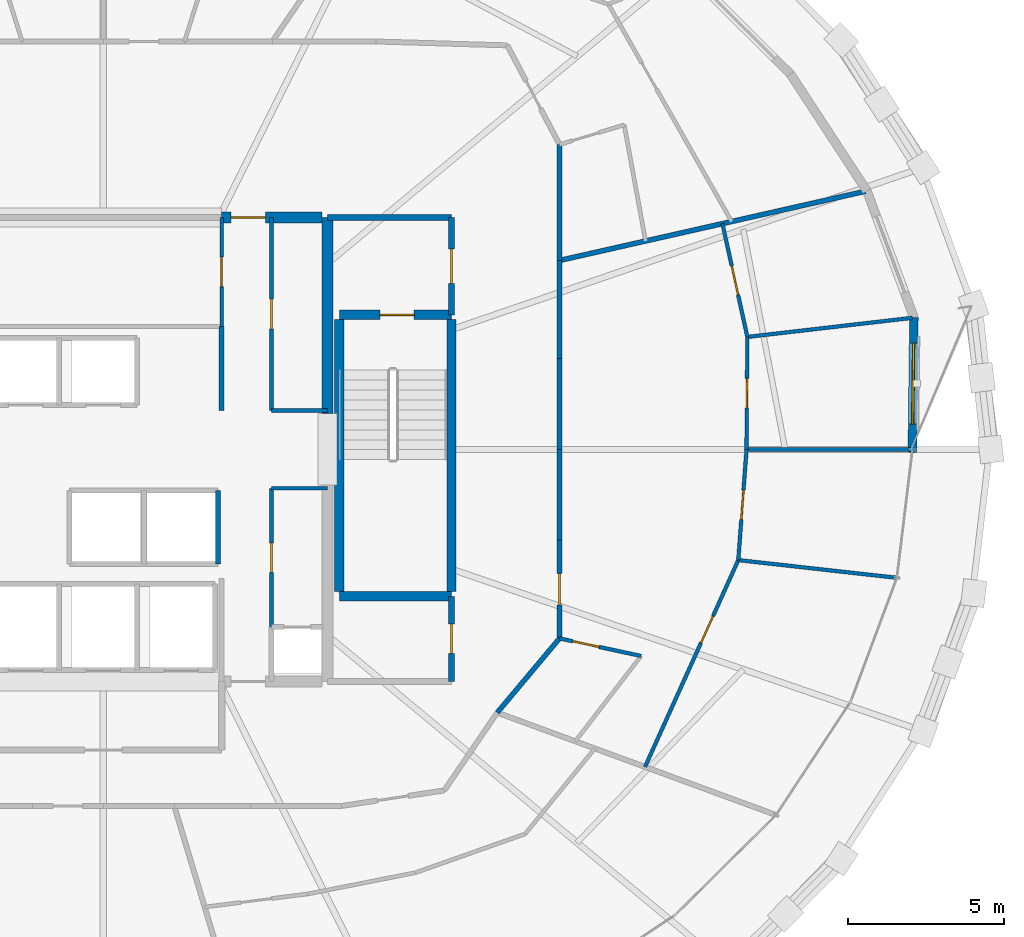
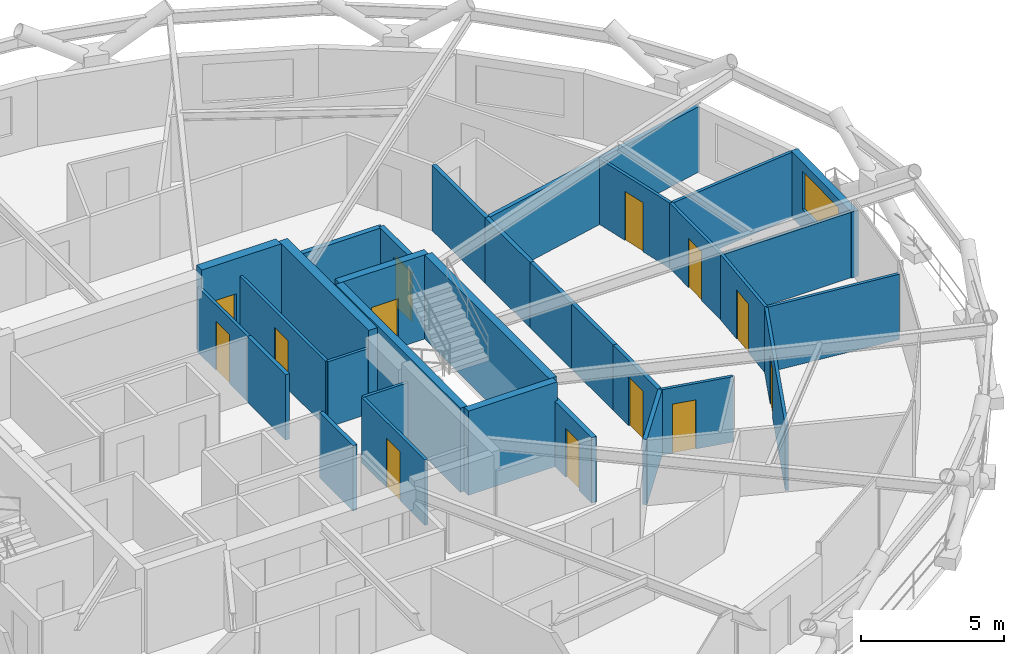
# One storey, part 16 of 21: 32 walls, 13 doors, 1 window, 14 openings.
"""IFC4 building model written with IfcOpenShell, lengths in metres."""

import ifcopenshell
import ifcopenshell.guid

model = None  # the IFC model being written
_history = None  # IfcOwnerHistory: only IFC2X3 demands one
_inside = {}  # id of a spatial element -> (the spatial element, [elements in it])
_under = {}  # id of a project, library or spatial element -> (it, [spatial elements below it])
_declared = {}  # id of a project -> (the project, [libraries it declares])
_typed = {}  # id of a type object -> (the type object, [elements of that type])
_made_of = {}  # id of a material, layer set ... -> (it, [elements and type objects made of it])


def new_model(schema):
    """Start an empty IFC model of exactly this schema.

    Asked for "IFC4X3", IfcOpenShell would pick the latest addendum, in which some entities
    have other attributes; the version numbers below select the first issue.
    IFC2X3 requires an IfcOwnerHistory on every rooted entity: one is made here for all.
    """
    global model, _history
    if schema == "IFC4X3":
        model = ifcopenshell.file(schema_version=(4, 3, 0, 0))
    else:
        model = ifcopenshell.file(schema=schema)
    _inside.clear()
    _under.clear()
    _declared.clear()
    _typed.clear()
    _made_of.clear()
    _history = None
    if model.schema == "IFC2X3":
        org = make("IfcOrganization", Name="unknown")
        user = make(
            "IfcPersonAndOrganization",
            ThePerson=make("IfcPerson", FamilyName="unknown"),
            TheOrganization=org,
        )
        app = make(
            "IfcApplication",
            ApplicationDeveloper=org,
            Version="unknown",
            ApplicationFullName="unknown",
            ApplicationIdentifier="unknown",
        )
        _history = make(
            "IfcOwnerHistory",
            OwningUser=user,
            OwningApplication=app,
            ChangeAction="ADDED",
            CreationDate=0,
        )
    return model


def make(cls, **values):
    """One entity of the class cls with the attributes given. An attribute that is None is left unset."""
    return model.create_entity(
        cls, **{name: value for name, value in values.items() if value is not None}
    )


def rooted(cls, **values):
    """An entity with a GlobalId (a new one), such as an element, a storey or a relation."""
    return make(cls, GlobalId=ifcopenshell.guid.new(), OwnerHistory=_history, **values)


def si_unit(unit_type, name, prefix=None):
    """IfcSIUnit, for example si_unit("LENGTHUNIT", "METRE", prefix="MILLI")."""
    return make("IfcSIUnit", UnitType=unit_type, Prefix=prefix, Name=name)


def assignment(units):
    """IfcUnitAssignment: the units of a project."""
    return None if units is None else make("IfcUnitAssignment", Units=units)


def point(xyz):
    """IfcCartesianPoint."""
    return None if xyz is None else make("IfcCartesianPoint", Coordinates=xyz)


def direction(xyz):
    """IfcDirection."""
    return None if xyz is None else make("IfcDirection", DirectionRatios=xyz)


def frame(location, z_axis=None, x_axis=None):
    """IfcAxis2Placement3D, a coordinate frame: its origin and axes. An axis left out is left unset."""
    return make(
        "IfcAxis2Placement3D",
        Location=point(location),
        Axis=direction(z_axis),
        RefDirection=direction(x_axis),
    )


def frame_2d(location, x_axis=None):
    """IfcAxis2Placement2D, a coordinate frame in the plane: its origin and x axis."""
    return make(
        "IfcAxis2Placement2D", Location=point(location), RefDirection=direction(x_axis)
    )


def origin():
    """The frame at (0, 0, 0) with its axes left unset."""
    return frame((0.0, 0.0, 0.0))


def place(relative_to, where):
    """IfcLocalPlacement: puts the frame where relative to a parent placement (None: the world)."""
    return make(
        "IfcLocalPlacement", PlacementRelTo=relative_to, RelativePlacement=where
    )


def context(
    kind, dimensions, precision=None, world=None, true_north=None, identifier=None
):
    """IfcGeometricRepresentationContext, for example the 3D "Model" context."""
    return make(
        "IfcGeometricRepresentationContext",
        ContextIdentifier=identifier,
        ContextType=kind,
        CoordinateSpaceDimension=dimensions,
        Precision=precision,
        WorldCoordinateSystem=world,
        TrueNorth=true_north,
    )


def subcontext(parent, identifier, kind, view, scale=None):
    """IfcGeometricRepresentationSubContext, for example "Body" below "Model"."""
    return make(
        "IfcGeometricRepresentationSubContext",
        ContextIdentifier=identifier,
        ContextType=kind,
        ParentContext=parent,
        TargetScale=scale,
        TargetView=view,
    )


def project(units=None, contexts=None):
    """IfcProject with its units and contexts."""
    return rooted(
        "IfcProject",
        Name="project",
        RepresentationContexts=contexts,
        UnitsInContext=assignment(units),
    )


def spatial(cls, under=None, at=None, **own):
    """A site, building, storey or space (cls), placed at a placement, below another one or the project."""
    s = rooted(cls, ObjectPlacement=at, **own)
    if under is not None:
        _under.setdefault(under.id(), (under, []))[1].append(s)
    return s


def profile(cls, at=None, kind="AREA", **sizes):
    """A parametric profile (cls). Its sizes go by their IFC names, for example OverallWidth=200.0."""
    return make(cls, ProfileType=kind, Position=at, **sizes)


def rectangle(**sizes):
    """IfcRectangleProfileDef."""
    return profile("IfcRectangleProfileDef", **sizes)


def extrude(swept, where, along, depth):
    """IfcExtrudedAreaSolid: the profile swept, set in the frame where, extruded along a direction by depth."""
    return make(
        "IfcExtrudedAreaSolid",
        SweptArea=swept,
        Position=where,
        ExtrudedDirection=direction(along),
        Depth=depth,
    )


def shape(context_of_items, identifier, shape_type, items):
    """IfcShapeRepresentation: the items that make up one representation, for example the "Body"."""
    return make(
        "IfcShapeRepresentation",
        ContextOfItems=context_of_items,
        RepresentationIdentifier=identifier,
        RepresentationType=shape_type,
        Items=items,
    )


def material(Name=None, Category=None):
    """IfcMaterial."""
    return make("IfcMaterial", Name=Name, Category=Category)


def layer(
    of_material, thickness, ventilated=None, Name=None, Category=None, Priority=None
):
    """IfcMaterialLayer: one layer of a wall or slab, of a material (None: an air gap)."""
    return make(
        "IfcMaterialLayer",
        Material=of_material,
        LayerThickness=thickness,
        IsVentilated=ventilated,
        Name=Name,
        Category=Category,
        Priority=Priority,
    )


def layer_set(layers, Name=None):
    """IfcMaterialLayerSet."""
    return make("IfcMaterialLayerSet", MaterialLayers=layers, LayerSetName=Name)


def made_of(thing, what):
    """Note that an element or type object is made of a material, layer set ...; save() writes the relation."""
    if what is not None:
        _made_of.setdefault(what.id(), (what, []))[1].append(thing)
    return thing


def type_object(cls, material=None, **own):
    """A type object (cls), such as IfcWallType, which elements share."""
    return made_of(rooted(cls, **own), material)


def element(
    cls,
    number,
    at=None,
    inside=None,
    cuts=None,
    type_object=None,
    material=None,
    context=None,
    identifier="Body",
    shape_type=None,
    held_by="IfcProductDefinitionShape",
    body=None,
    shapes=None,
    **own,
):
    """One element of the class cls, such as IfcWall. Its Tag is "e" and its number.

    at: its placement. inside: the storey or other place that contains it. cuts: it is an
    opening in that element (IfcRelVoidsElement). A single representation is given by context,
    identifier, shape_type and body (its items); several are given by shapes. held_by: the class
    of the entity that holds the representations. save() writes the other relations.
    """
    e = rooted(cls, Tag="e%d" % number, ObjectPlacement=at, **own)
    if body is not None:
        shapes = [shape(context, identifier, shape_type, body)]
    if shapes is not None:
        e.Representation = make(held_by, Representations=shapes)
    if inside is not None:
        _inside.setdefault(inside.id(), (inside, []))[1].append(e)
    if cuts is not None:
        rooted(
            "IfcRelVoidsElement", RelatingBuildingElement=cuts, RelatedOpeningElement=e
        )
    if type_object is not None:
        _typed.setdefault(type_object.id(), (type_object, []))[1].append(e)
    return made_of(e, material)


def fill(opening, filler):
    """IfcRelFillsElement: the door or window that sits in an opening."""
    return rooted(
        "IfcRelFillsElement",
        RelatingOpeningElement=opening,
        RelatedBuildingElement=filler,
    )


def aggregate(whole, parts):
    """IfcRelAggregates: a whole, such as a stair, and the parts it consists of."""
    return rooted("IfcRelAggregates", RelatingObject=whole, RelatedObjects=parts)


def save(model, path):
    """Write the relations noted so far, then the file.

    IfcRelAggregates (storeys below a building ...), IfcRelContainedInSpatialStructure (elements
    in a storey), IfcRelDefinesByType, IfcRelAssociatesMaterial and IfcRelDeclares: one each for
    every whole, place, type object, material and project.
    """
    for whole, parts in _under.values():
        aggregate(whole, parts)
    for where, things in _inside.values():
        rooted(
            "IfcRelContainedInSpatialStructure",
            RelatedElements=things,
            RelatingStructure=where,
        )
    for kind, things in _typed.values():
        rooted("IfcRelDefinesByType", RelatedObjects=things, RelatingType=kind)
    for what, things in _made_of.values():
        rooted("IfcRelAssociatesMaterial", RelatedObjects=things, RelatingMaterial=what)
    for by, libraries in _declared.values():
        rooted("IfcRelDeclares", RelatingContext=by, RelatedDefinitions=libraries)
    model.write(path)


model = new_model("IFC4")

# Units and contexts
model_context = context("Model", 3, precision=1e-05, world=origin(), true_north=direction((0.0, 1.0)))
body_context = subcontext(model_context, "Body", "Model", "MODEL_VIEW")
ifc_project = project(units=[si_unit("LENGTHUNIT", "METRE"), si_unit("AREAUNIT", "SQUARE_METRE"), si_unit("VOLUMEUNIT", "CUBIC_METRE"), si_unit("PLANEANGLEUNIT", "RADIAN"), si_unit("MASSUNIT", "GRAM", prefix="KILO")], contexts=[model_context])

# Site, building, storey
site_placement = place(None, origin())
site = spatial("IfcSite", under=ifc_project, at=site_placement, CompositionType="ELEMENT")
building_placement = place(site_placement, origin())
building = spatial("IfcBuilding", under=site, at=building_placement, Name="Veldorina Hangang Commons", CompositionType="ELEMENT")
storey_placement = place(building_placement, frame((0.0, 0.0, 135.199951171875)))
storey = spatial("IfcBuildingStorey", under=building, at=storey_placement, Name="L34", CompositionType="ELEMENT", Elevation=135.199951171875)

# Wall
ifc_material_1 = material(Name="Concrete C60/75", Category="concrete")
ifc_layer_1 = layer(ifc_material_1, 0.360107421875)
ifc_layer_set_1 = layer_set([ifc_layer_1], Name="Concrete C60/75")
wall_type_1 = type_object("IfcWallType", Name="CW-RC360-C60", PredefinedType="SHEAR", material=ifc_layer_set_1)
wall_1_placement = place(storey_placement, frame((39.199951171875, 25.14990234375, 0.0), z_axis=(0.0, 0.0, 1.0), x_axis=(0.0, 1.0, 0.0)))
element("IfcWall", 1, at=wall_1_placement, inside=storey, type_object=wall_type_1, Name="L34 E north core shear wall", PredefinedType="SHEAR", context=body_context, shape_type="SweptSolid", body=[
    extrude(rectangle(XDim=6.300048828125, YDim=0.360107421875, at=frame_2d((3.14990234375, 0.0))), origin(), (0.0, 0.0, 1.0), 3.60009765625),
])

# Wall, opening, door
wall_2_placement = place(storey_placement, frame((35.800048828125, 31.449951171875, 0.0), z_axis=(0.0, 0.0, 1.0), x_axis=(1.0, 0.0, 0.0)))
wall_2 = element("IfcWall", 2, at=wall_2_placement, inside=storey, type_object=wall_type_1, Name="L34 north-east core shear wall", PredefinedType="SHEAR", context=body_context, shape_type="SweptSolid", body=[
    extrude(rectangle(XDim=3.219970703125, YDim=0.360107421875, at=frame_2d((1.60986328125, 0.0))), origin(), (0.0, 0.0, 1.0), 3.60009765625),
])
opening_1_placement = place(wall_2_placement, frame((0.300048828125, 0.0, 0.0)))
opening_1 = element("IfcOpeningElement", 3, at=opening_1_placement, cuts=wall_2, Name="Opening D-08", PredefinedType="OPENING", context=body_context, shape_type="SweptSolid", body=[
    extrude(rectangle(XDim=1.10009765625, YDim=2.10009765625, at=frame_2d((0.550048828125, 1.050048828125))), frame((0.0, 0.18994140625, 0.0), z_axis=(0.0, -1.0, 0.0), x_axis=(1.0, 0.0, 0.0)), (0.0, 0.0, 1.0), 0.380126953125),
])
ifc_material_2 = material(Name="Steel Fire-Rated Smoke Seal", Category="steel")
door_type_1 = type_object("IfcDoorType", Name="DR-FIRE-1100", OperationType="SINGLE_SWING_RIGHT", PredefinedType="DOOR", material=ifc_material_2)
door_1_placement = place(opening_1_placement, origin())
door_1 = element("IfcDoor", 4, at=door_1_placement, inside=storey, type_object=door_type_1, Name="L34 central lift lobby north corridor door", OperationType="SINGLE_SWING_LEFT", OverallHeight=2.10009765625, OverallWidth=1.10009765625, PredefinedType="DOOR", context=body_context, shape_type="SweptSolid", body=[
    extrude(rectangle(XDim=1.10009765625, YDim=2.10009765625, at=frame_2d((0.550048828125, 1.050048828125))), frame((0.0, 0.02490234375, 0.0), z_axis=(0.0, -1.0, 0.0), x_axis=(1.0, 0.0, 0.0)), (0.0, 0.0, 1.0), 0.050048828125),
])
fill(opening_1, door_1)

# Wall, opening, window
ifc_material_3 = material(Name="Stone Roman Travertine", Category="masonry")
ifc_layer_2 = layer(ifc_material_3, 0.280029296875)
ifc_layer_set_2 = layer_set([ifc_layer_2], Name="Stone Roman Travertine")
wall_type_2 = type_object("IfcWallType", Name="EW-TRAV-280", PredefinedType="STANDARD", material=ifc_layer_set_2)
wall_3_placement = place(storey_placement, frame((57.980224609375, 23.907958984375, 0.0), z_axis=(0.0, 0.0, 1.0), x_axis=(0.011800420546, 0.999930372613, 0.0)))
wall_3 = element("IfcWall", 5, at=wall_3_placement, inside=storey, type_object=wall_type_2, Name="L34 travertine facade wall 00", PredefinedType="STANDARD", context=body_context, shape_type="SweptSolid", body=[
    extrude(rectangle(XDim=4.323974609375, YDim=0.280029296875, at=frame_2d((2.162109375, 0.0))), origin(), (0.0, 0.0, 1.0), 2.820068359375),
])
opening_2_placement = place(wall_3_placement, frame((0.907958984375, 0.0, 0.800048828125)))
opening_2 = element("IfcOpeningElement", 6, at=opening_2_placement, cuts=wall_3, Name="Opening W-02", PredefinedType="OPENING", context=body_context, shape_type="SweptSolid", body=[
    extrude(rectangle(XDim=2.60009765625, YDim=1.64990234375, at=frame_2d((1.300048828125, 0.824951171875))), frame((0.0, 0.14990234375, 0.0), z_axis=(0.0, -1.0, 0.0), x_axis=(1.0, 0.0, 0.0)), (0.0, 0.0, 1.0), 0.300048828125),
])
ifc_material_4 = material(Name="Glass Low-E Triple IGU", Category="glass")
window_type = type_object("IfcWindowType", Name="WIN-TWR-2600", PartitioningType="SINGLE_PANEL", PredefinedType="WINDOW", material=ifc_material_4)
window_placement = place(opening_2_placement, origin())
window = element("IfcWindow", 7, at=window_placement, inside=storey, type_object=window_type, Name="L34 facade window 00", OverallHeight=1.64990234375, OverallWidth=2.60009765625, PartitioningType="SINGLE_PANEL", PredefinedType="WINDOW", context=body_context, shape_type="SweptSolid", body=[
    extrude(rectangle(XDim=2.60009765625, YDim=1.64990234375, at=frame_2d((1.300048828125, 0.824951171875))), frame((0.0, 0.030029296875, 0.0), z_axis=(0.0, -1.0, 0.0), x_axis=(1.0, 0.0, 0.0)), (0.0, 0.0, 1.0), 0.06005859375),
])
fill(opening_2, window)

# Walls
ifc_material_5 = material(Name="Concrete C50/60", Category="concrete")
ifc_layer_3 = layer(ifc_material_5, 0.300048828125)
ifc_layer_set_3 = layer_set([ifc_layer_3], Name="Concrete C50/60")
wall_type_3 = type_object("IfcWallType", Name="SW-STAIR-300", PredefinedType="SHEAR", material=ifc_layer_set_3)
for number, where, z_axis, x_axis, name in (
    (8, (43.179931640625, 19.429931640625, 0.0), (0.0, 0.0, 1.0), (0.0, 1.0, 0.0), "L34 ST2 outer stair shear wall"),
    (9, (39.580078125, 19.429931640625, 0.0), (0.0, 0.0, 1.0), (0.0, 1.0, 0.0), "L34 ST2 inner stair shear wall"),
):
    element("IfcWall", number, at=place(storey_placement, frame(where, z_axis=z_axis, x_axis=x_axis)), inside=storey, type_object=wall_type_3, Name=name, PredefinedType="SHEAR", context=body_context, shape_type="SweptSolid", body=[
        extrude(rectangle(XDim=8.739990234375, YDim=0.300048828125, at=frame_2d((4.3701171875, 0.0))), origin(), (0.0, 0.0, 1.0), 3.60009765625),
    ])
wall_4_placement = place(storey_placement, frame((39.580078125, 19.280029296875, 0.0), z_axis=(0.0, 0.0, 1.0), x_axis=(1.0, 0.0, 0.0)))
element("IfcWall", 10, at=wall_4_placement, inside=storey, type_object=wall_type_3, Name="L34 ST2 south stair shear wall", PredefinedType="SHEAR", context=body_context, shape_type="SweptSolid", body=[
    extrude(rectangle(XDim=3.599853515625, YDim=0.300048828125, at=frame_2d((1.7998046875, 0.0))), origin(), (0.0, 0.0, 1.0), 3.60009765625),
])

# Wall, opening, door
wall_5_placement = place(storey_placement, frame((39.580078125, 28.320068359375, 0.0), z_axis=(0.0, 0.0, 1.0), x_axis=(1.0, 0.0, 0.0)))
wall_5 = element("IfcWall", 11, at=wall_5_placement, inside=storey, type_object=wall_type_3, Name="L34 ST2 north stair shear wall", PredefinedType="SHEAR", context=body_context, shape_type="SweptSolid", body=[
    extrude(rectangle(XDim=3.599853515625, YDim=0.300048828125, at=frame_2d((1.7998046875, 0.0))), origin(), (0.0, 0.0, 1.0), 3.60009765625),
])
opening_3_placement = place(wall_5_placement, frame((1.300048828125, 0.0, 0.0)))
opening_3 = element("IfcOpeningElement", 12, at=opening_3_placement, cuts=wall_5, Name="Opening D-08", PredefinedType="OPENING", context=body_context, shape_type="SweptSolid", body=[
    extrude(rectangle(XDim=1.10009765625, YDim=2.10009765625, at=frame_2d((0.550048828125, 1.050048828125))), frame((0.0, 0.16015625, 0.0), z_axis=(0.0, -1.0, 0.0), x_axis=(1.0, 0.0, 0.0)), (0.0, 0.0, 1.0), 0.320068359375),
])
door_2_placement = place(opening_3_placement, origin())
door_2 = element("IfcDoor", 13, at=door_2_placement, inside=storey, type_object=door_type_1, Name="L34 Special Escape Stair ST-2 door", OperationType="SINGLE_SWING_RIGHT", OverallHeight=2.10009765625, OverallWidth=1.10009765625, PredefinedType="DOOR", context=body_context, shape_type="SweptSolid", body=[
    extrude(rectangle(XDim=1.10009765625, YDim=2.10009765625, at=frame_2d((0.550048828125, 1.050048828125))), frame((0.0, 0.02490234375, 0.0), z_axis=(0.0, -1.0, 0.0), x_axis=(1.0, 0.0, 0.0)), (0.0, 0.0, 1.0), 0.050048828125),
])
fill(opening_3, door_2)

# Walls
ifc_material_6 = material(Name="Gypsum Fire-Rated Twin Stud Wall", Category="gypsum")
ifc_layer_4 = layer(ifc_material_6, 0.159912109375)
ifc_layer_set_4 = layer_set([ifc_layer_4], Name="Gypsum Fire-Rated Twin Stud Wall")
wall_type_4 = type_object("IfcWallType", Name="WL-FIRE-160", PredefinedType="SOLIDWALL", material=ifc_layer_set_4)
wall_6_placement = place(storey_placement, frame((35.800048828125, 25.25, 0.0), z_axis=(0.0, 0.0, 1.0), x_axis=(0.0, 1.0, 0.0)))
element("IfcWall", 14, at=wall_6_placement, inside=storey, type_object=wall_type_4, Name="L34 Lift passage NW lower wall 011", PredefinedType="SOLIDWALL", context=body_context, shape_type="SweptSolid", body=[
    extrude(rectangle(XDim=2.699951171875, YDim=0.159912109375, at=frame_2d((1.35009765625, 0.0))), origin(), (0.0, 0.0, 1.0), 2.800048828125),
])
wall_7_placement = place(storey_placement, frame((35.679931640625, 20.320068359375, 0.0), z_axis=(0.0, 0.0, 1.0), x_axis=(0.0, 1.0, 0.0)))
element("IfcWall", 15, at=wall_7_placement, inside=storey, type_object=wall_type_4, Name="L34 SL-2 east shaft wall 024", PredefinedType="SOLIDWALL", context=body_context, shape_type="SweptSolid", body=[
    extrude(rectangle(XDim=2.35986328125, YDim=0.159912109375, at=frame_2d((1.179931640625, 0.0))), origin(), (0.0, 0.0, 1.0), 2.800048828125),
])
wall_8_placement = place(storey_placement, frame((46.64990234375, 24.0, 0.0), z_axis=(0.0, 0.0, 1.0), x_axis=(0.0, 1.0, 0.0)))
element("IfcWall", 16, at=wall_8_placement, inside=storey, type_object=wall_type_4, Name="L34 U-corridor outer wall 00 044", PredefinedType="SOLIDWALL", context=body_context, shape_type="SweptSolid", body=[
    extrude(rectangle(XDim=2.9140625, YDim=0.159912109375, at=frame_2d((1.45703125, 0.0))), origin(), (0.0, 0.0, 1.0), 2.800048828125),
])
wall_9_placement = place(storey_placement, frame((46.64990234375, 26.9140625, 0.0), z_axis=(0.0, 0.0, 1.0), x_axis=(0.0, 1.0, 0.0)))
element("IfcWall", 17, at=wall_9_placement, inside=storey, type_object=wall_type_4, Name="L34 U-corridor outer wall 01 045", PredefinedType="SOLIDWALL", context=body_context, shape_type="SweptSolid", body=[
    extrude(rectangle(XDim=3.154052734375, YDim=0.159912109375, at=frame_2d((1.5771484375, 0.0))), origin(), (0.0, 0.0, 1.0), 2.800048828125),
])
wall_10_placement = place(storey_placement, frame((46.64990234375, 30.068115234375, 0.0), z_axis=(0.0, 0.0, 1.0), x_axis=(0.0, 1.0, 0.0)))
element("IfcWall", 18, at=wall_10_placement, inside=storey, type_object=wall_type_4, Name="L34 U-corridor outer wall 02 046", PredefinedType="SOLIDWALL", context=body_context, shape_type="SweptSolid", body=[
    extrude(rectangle(XDim=3.720703125, YDim=0.159912109375, at=frame_2d((1.8603515625, 0.0))), origin(), (0.0, 0.0, 1.0), 2.800048828125),
])
wall_11_placement = place(storey_placement, frame((44.64990234375, 15.547607421875, 0.0), z_axis=(0.0, 0.0, 1.0), x_axis=(0.642665742791, 0.76614668507, 0.0)))
element("IfcWall", 19, at=wall_11_placement, inside=storey, type_object=wall_type_4, Name="L34 U-corridor outer wall 29 073", PredefinedType="SOLIDWALL", context=body_context, shape_type="SweptSolid", body=[
    extrude(rectangle(XDim=3.112060546875, YDim=0.159912109375, at=frame_2d((1.55615234375, 0.0))), origin(), (0.0, 0.0, 1.0), 2.800048828125),
])

# Wall, opening, door
wall_12_placement = place(storey_placement, frame((46.64990234375, 17.931884765625, 0.0), z_axis=(0.0, 0.0, 1.0), x_axis=(0.0, 1.0, 0.0)))
wall_12 = element("IfcWall", 20, at=wall_12_placement, inside=storey, type_object=wall_type_4, Name="L34 U-corridor outer wall 30 074", PredefinedType="SOLIDWALL", context=body_context, shape_type="SweptSolid", body=[
    extrude(rectangle(XDim=3.154052734375, YDim=0.159912109375, at=frame_2d((1.5771484375, 0.0))), origin(), (0.0, 0.0, 1.0), 2.800048828125),
])
opening_4_placement = place(wall_12_placement, frame((1.0771484375, 0.0, 0.0)))
opening_4 = element("IfcOpeningElement", 21, at=opening_4_placement, cuts=wall_12, Name="Opening D-06", PredefinedType="OPENING", context=body_context, shape_type="SweptSolid", body=[
    extrude(rectangle(XDim=1.0, YDim=2.10009765625, at=frame_2d((0.5, 1.050048828125))), frame((0.0, 0.08984375, 0.0), z_axis=(0.0, -1.0, 0.0), x_axis=(1.0, 0.0, 0.0)), (0.0, 0.0, 1.0), 0.179931640625),
])
ifc_material_7 = material(Name="Timber Fire-Rated Entrance Core", Category="wood")
door_type_2 = type_object("IfcDoorType", Name="DR-UNIT-1000", OperationType="SINGLE_SWING_LEFT", PredefinedType="DOOR", material=ifc_material_7)
door_3_placement = place(opening_4_placement, origin())
door_3 = element("IfcDoor", 22, at=door_3_placement, inside=storey, type_object=door_type_2, Name="L34 Cluster 2 entrance door 021", OperationType="SINGLE_SWING_LEFT", OverallHeight=2.10009765625, OverallWidth=1.0, PredefinedType="DOOR", context=body_context, shape_type="SweptSolid", body=[
    extrude(rectangle(XDim=1.0, YDim=2.10009765625, at=frame_2d((0.5, 1.050048828125))), frame((0.0, 0.02490234375, 0.0), z_axis=(0.0, -1.0, 0.0), x_axis=(1.0, 0.0, 0.0)), (0.0, 0.0, 1.0), 0.050048828125),
])
fill(opening_4, door_3)

# Walls
wall_13_placement = place(storey_placement, frame((46.64990234375, 21.0859375, 0.0), z_axis=(0.0, 0.0, 1.0), x_axis=(0.0, 1.0, 0.0)))
element("IfcWall", 23, at=wall_13_placement, inside=storey, type_object=wall_type_4, Name="L34 U-corridor outer wall 31 075", PredefinedType="SOLIDWALL", context=body_context, shape_type="SweptSolid", body=[
    extrude(rectangle(XDim=2.9140625, YDim=0.159912109375, at=frame_2d((1.45703125, 0.0))), origin(), (0.0, 0.0, 1.0), 2.800048828125),
])
wall_14_placement = place(storey_placement, frame((46.64990234375, 30.068115234375, 0.0), z_axis=(0.0, 0.0, 1.0), x_axis=(0.975360958505, 0.220615050765, 0.0)))
element("IfcWall", 24, at=wall_14_placement, inside=storey, type_object=wall_type_4, Name="L34 Unit party wall 02 091", PredefinedType="SOLIDWALL", context=body_context, shape_type="SweptSolid", body=[
    extrude(rectangle(XDim=10.0703125, YDim=0.159912109375, at=frame_2d((5.03515625, 0.0))), origin(), (0.0, 0.0, 1.0), 2.800048828125),
])

# Wall, opening, door
ifc_material_8 = material(Name="Concrete Blockwork Fire Wall C30/37", Category="masonry")
ifc_layer_5 = layer(ifc_material_8, 0.199951171875)
ifc_layer_set_5 = layer_set([ifc_layer_5], Name="Concrete Blockwork Fire Wall C30/37")
wall_type_5 = type_object("IfcWallType", Name="WL-FIRE-200", PredefinedType="SOLIDWALL", material=ifc_layer_set_5)
wall_15_placement = place(storey_placement, frame((43.179931640625, 28.320068359375, 0.0), z_axis=(0.0, 0.0, 1.0), x_axis=(0.0, 1.0, 0.0)))
wall_15 = element("IfcWall", 25, at=wall_15_placement, inside=storey, type_object=wall_type_5, Name="L34 East vestibule outer wall 003", PredefinedType="SOLIDWALL", context=body_context, shape_type="SweptSolid", body=[
    extrude(rectangle(XDim=3.1298828125, YDim=0.199951171875, at=frame_2d((1.56494140625, 0.0))), origin(), (0.0, 0.0, 1.0), 2.800048828125),
])
opening_5_placement = place(wall_15_placement, frame((1.014892578125, 0.0, 0.0)))
opening_5 = element("IfcOpeningElement", 26, at=opening_5_placement, cuts=wall_15, Name="Opening D-08", PredefinedType="OPENING", context=body_context, shape_type="SweptSolid", body=[
    extrude(rectangle(XDim=1.10009765625, YDim=2.10009765625, at=frame_2d((0.550048828125, 1.050048828125))), frame((0.0, 0.10986328125, 0.0), z_axis=(0.0, -1.0, 0.0), x_axis=(1.0, 0.0, 0.0)), (0.0, 0.0, 1.0), 0.219970703125),
])
door_4_placement = place(opening_5_placement, origin())
door_4 = element("IfcDoor", 27, at=door_4_placement, inside=storey, type_object=door_type_1, Name="L34 East vestibule east door 002", OperationType="SINGLE_SWING_RIGHT", OverallHeight=2.10009765625, OverallWidth=1.10009765625, PredefinedType="DOOR", context=body_context, shape_type="SweptSolid", body=[
    extrude(rectangle(XDim=1.10009765625, YDim=2.10009765625, at=frame_2d((0.550048828125, 1.050048828125))), frame((0.0, 0.02490234375, 0.0), z_axis=(0.0, -1.0, 0.0), x_axis=(1.0, 0.0, 0.0)), (0.0, 0.0, 1.0), 0.050048828125),
])
fill(opening_5, door_4)

# Wall
wall_16_placement = place(storey_placement, frame((39.199951171875, 31.449951171875, 0.0), z_axis=(0.0, 0.0, 1.0), x_axis=(1.0, 0.0, 0.0)))
element("IfcWall", 28, at=wall_16_placement, inside=storey, type_object=wall_type_5, Name="L34 East vestibule north wall 004", PredefinedType="SOLIDWALL", context=body_context, shape_type="SweptSolid", body=[
    extrude(rectangle(XDim=3.97998046875, YDim=0.199951171875, at=frame_2d((1.989990234375, 0.0))), origin(), (0.0, 0.0, 1.0), 2.800048828125),
])

# Wall, opening, door
wall_17_placement = place(storey_placement, frame((43.179931640625, 16.550048828125, 0.0), z_axis=(0.0, 0.0, 1.0), x_axis=(0.0, 1.0, 0.0)))
wall_17 = element("IfcWall", 29, at=wall_17_placement, inside=storey, type_object=wall_type_5, Name="L34 SE core room outer wall 007", PredefinedType="SOLIDWALL", context=body_context, shape_type="SweptSolid", body=[
    extrude(rectangle(XDim=2.72998046875, YDim=0.199951171875, at=frame_2d((1.364990234375, 0.0))), origin(), (0.0, 0.0, 1.0), 2.800048828125),
])
opening_6_placement = place(wall_17_placement, frame((0.889892578125, 0.0, 0.0)))
opening_6 = element("IfcOpeningElement", 30, at=opening_6_placement, cuts=wall_17, Name="Opening D-02", PredefinedType="OPENING", context=body_context, shape_type="SweptSolid", body=[
    extrude(rectangle(XDim=0.949951171875, YDim=2.10009765625, at=frame_2d((0.47509765625, 1.050048828125))), frame((0.0, 0.10986328125, 0.0), z_axis=(0.0, -1.0, 0.0), x_axis=(1.0, 0.0, 0.0)), (0.0, 0.0, 1.0), 0.219970703125),
])
ifc_material_9 = material(Name="Timber Solid Core Acoustic", Category="wood")
door_type_3 = type_object("IfcDoorType", Name="DR-INT-950", OperationType="SINGLE_SWING_LEFT", PredefinedType="DOOR", material=ifc_material_9)
door_5_placement = place(opening_6_placement, origin())
door_5 = element("IfcDoor", 31, at=door_5_placement, inside=storey, type_object=door_type_3, Name="L34 SE core WC door 004", OperationType="SINGLE_SWING_RIGHT", OverallHeight=2.10009765625, OverallWidth=0.949951171875, PredefinedType="DOOR", context=body_context, shape_type="SweptSolid", body=[
    extrude(rectangle(XDim=0.949951171875, YDim=2.10009765625, at=frame_2d((0.47509765625, 1.050048828125))), frame((0.0, 0.02490234375, 0.0), z_axis=(0.0, -1.0, 0.0), x_axis=(1.0, 0.0, 0.0)), (0.0, 0.0, 1.0), 0.050048828125),
])
fill(opening_6, door_5)

ifc_material_10 = material(Name="Gypsum Acoustic Stud Partition", Category="gypsum")
ifc_layer_6 = layer(ifc_material_10, 0.1201171875)
ifc_layer_set_6 = layer_set([ifc_layer_6], Name="Gypsum Acoustic Stud Partition")
wall_type_6 = type_object("IfcWallType", Name="WL-PART-120", PredefinedType="PARTITIONING", material=ifc_layer_set_6)
wall_18_placement = place(storey_placement, frame((35.800048828125, 27.949951171875, 0.0), z_axis=(0.0, 0.0, 1.0), x_axis=(0.0, 1.0, 0.0)))
wall_18 = element("IfcWall", 32, at=wall_18_placement, inside=storey, type_object=wall_type_6, Name="L34 Merged north east wall 033", PredefinedType="PARTITIONING", context=body_context, shape_type="SweptSolid", body=[
    extrude(rectangle(XDim=3.5, YDim=0.1201171875, at=frame_2d((1.75, 0.0))), origin(), (0.0, 0.0, 1.0), 2.800048828125),
])
opening_7_placement = place(wall_18_placement, frame((1.27490234375, 0.0, 0.0)))
opening_7 = element("IfcOpeningElement", 33, at=opening_7_placement, cuts=wall_18, Name="Opening D-02", PredefinedType="OPENING", context=body_context, shape_type="SweptSolid", body=[
    extrude(rectangle(XDim=0.949951171875, YDim=2.10009765625, at=frame_2d((0.47509765625, 1.050048828125))), frame((0.0, 0.070068359375, 0.0), z_axis=(0.0, -1.0, 0.0), x_axis=(1.0, 0.0, 0.0)), (0.0, 0.0, 1.0), 0.14013671875),
])
door_6_placement = place(opening_7_placement, origin())
door_6 = element("IfcDoor", 34, at=door_6_placement, inside=storey, type_object=door_type_3, Name="L34 Merged north room lobby door 011", OperationType="SINGLE_SWING_LEFT", OverallHeight=2.10009765625, OverallWidth=0.949951171875, PredefinedType="DOOR", context=body_context, shape_type="SweptSolid", body=[
    extrude(rectangle(XDim=0.949951171875, YDim=2.10009765625, at=frame_2d((0.47509765625, 1.050048828125))), frame((0.0, 0.02490234375, 0.0), z_axis=(0.0, -1.0, 0.0), x_axis=(1.0, 0.0, 0.0)), (0.0, 0.0, 1.0), 0.050048828125),
])
fill(opening_7, door_6)

wall_19_placement = place(storey_placement, frame((37.39990234375, 25.25, 0.0), z_axis=(0.0, 0.0, 1.0), x_axis=(0.0, 1.0, 0.0)))
wall_19 = element("IfcWall", 35, at=wall_19_placement, inside=storey, type_object=wall_type_6, Name="L34 NE strip lobby wall 040", PredefinedType="PARTITIONING", context=body_context, shape_type="SweptSolid", body=[
    extrude(rectangle(XDim=6.199951171875, YDim=0.1201171875, at=frame_2d((3.10009765625, 0.0))), origin(), (0.0, 0.0, 1.0), 2.800048828125),
])
opening_8_placement = place(wall_19_placement, frame((2.625, 0.0, 0.0)))
opening_8 = element("IfcOpeningElement", 36, at=opening_8_placement, cuts=wall_19, Name="Opening D-02", PredefinedType="OPENING", context=body_context, shape_type="SweptSolid", body=[
    extrude(rectangle(XDim=0.949951171875, YDim=2.10009765625, at=frame_2d((0.47509765625, 1.050048828125))), frame((0.0, 0.070068359375, 0.0), z_axis=(0.0, -1.0, 0.0), x_axis=(1.0, 0.0, 0.0)), (0.0, 0.0, 1.0), 0.14013671875),
])
door_7_placement = place(opening_8_placement, origin())
door_7 = element("IfcDoor", 37, at=door_7_placement, inside=storey, type_object=door_type_3, Name="L34 Comms room door 016", OperationType="SINGLE_SWING_RIGHT", OverallHeight=2.10009765625, OverallWidth=0.949951171875, PredefinedType="DOOR", context=body_context, shape_type="SweptSolid", body=[
    extrude(rectangle(XDim=0.949951171875, YDim=2.10009765625, at=frame_2d((0.47509765625, 1.050048828125))), frame((0.0, 0.02490234375, 0.0), z_axis=(0.0, -1.0, 0.0), x_axis=(1.0, 0.0, 0.0)), (0.0, 0.0, 1.0), 0.050048828125),
])
fill(opening_8, door_7)

# Wall
wall_20_placement = place(storey_placement, frame((37.39990234375, 25.25, 0.0), z_axis=(0.0, 0.0, 1.0), x_axis=(1.0, 0.0, 0.0)))
element("IfcWall", 38, at=wall_20_placement, inside=storey, type_object=wall_type_6, Name="L34 NE strip south return wall 041", PredefinedType="PARTITIONING", context=body_context, shape_type="SweptSolid", body=[
    extrude(rectangle(XDim=1.800048828125, YDim=0.1201171875, at=frame_2d((0.89990234375, 0.0))), origin(), (0.0, 0.0, 1.0), 2.800048828125),
])

# Wall, opening, door
wall_21_placement = place(storey_placement, frame((37.39990234375, 18.300048828125, 0.0), z_axis=(0.0, 0.0, 1.0), x_axis=(0.0, 1.0, 0.0)))
wall_21 = element("IfcWall", 39, at=wall_21_placement, inside=storey, type_object=wall_type_6, Name="L34 SE strip lobby wall 042", PredefinedType="PARTITIONING", context=body_context, shape_type="SweptSolid", body=[
    extrude(rectangle(XDim=4.449951171875, YDim=0.1201171875, at=frame_2d((2.22509765625, 0.0))), origin(), (0.0, 0.0, 1.0), 2.800048828125),
])
opening_9_placement = place(wall_21_placement, frame((1.75, 0.0, 0.0)))
opening_9 = element("IfcOpeningElement", 40, at=opening_9_placement, cuts=wall_21, Name="Opening D-02", PredefinedType="OPENING", context=body_context, shape_type="SweptSolid", body=[
    extrude(rectangle(XDim=0.949951171875, YDim=2.10009765625, at=frame_2d((0.47509765625, 1.050048828125))), frame((0.0, 0.070068359375, 0.0), z_axis=(0.0, -1.0, 0.0), x_axis=(1.0, 0.0, 0.0)), (0.0, 0.0, 1.0), 0.14013671875),
])
door_8_placement = place(opening_9_placement, origin())
door_8 = element("IfcDoor", 41, at=door_8_placement, inside=storey, type_object=door_type_3, Name="L34 BMS closet door 017", OperationType="SINGLE_SWING_LEFT", OverallHeight=2.10009765625, OverallWidth=0.949951171875, PredefinedType="DOOR", context=body_context, shape_type="SweptSolid", body=[
    extrude(rectangle(XDim=0.949951171875, YDim=2.10009765625, at=frame_2d((0.47509765625, 1.050048828125))), frame((0.0, 0.02490234375, 0.0), z_axis=(0.0, -1.0, 0.0), x_axis=(1.0, 0.0, 0.0)), (0.0, 0.0, 1.0), 0.050048828125),
])
fill(opening_9, door_8)

# Wall
wall_22_placement = place(storey_placement, frame((37.39990234375, 22.75, 0.0), z_axis=(0.0, 0.0, 1.0), x_axis=(1.0, 0.0, 0.0)))
element("IfcWall", 42, at=wall_22_placement, inside=storey, type_object=wall_type_6, Name="L34 SE strip north return wall 043", PredefinedType="PARTITIONING", context=body_context, shape_type="SweptSolid", body=[
    extrude(rectangle(XDim=1.800048828125, YDim=0.1201171875, at=frame_2d((0.89990234375, 0.0))), origin(), (0.0, 0.0, 1.0), 2.800048828125),
])

# Wall, opening, door
wall_23_placement = place(storey_placement, frame((46.64990234375, 17.931884765625, 0.0), z_axis=(0.0, 0.0, 1.0), x_axis=(0.97750005093, -0.21093518064, 0.0)))
wall_23 = element("IfcWall", 43, at=wall_23_placement, inside=storey, type_object=wall_type_6, Name="L34 Cluster 2 bath side wall 083", PredefinedType="PARTITIONING", context=body_context, shape_type="SweptSolid", body=[
    extrude(rectangle(XDim=2.679443359375, YDim=0.1201171875, at=frame_2d((1.33984375, 0.0))), origin(), (0.0, 0.0, 1.0), 2.800048828125),
])
opening_10_placement = place(wall_23_placement, frame((0.43994140625, 0.0, 0.0)))
opening_10 = element("IfcOpeningElement", 44, at=opening_10_placement, cuts=wall_23, Name="Opening D-01", PredefinedType="OPENING", context=body_context, shape_type="SweptSolid", body=[
    extrude(rectangle(XDim=0.860107421875, YDim=2.10009765625, at=frame_2d((0.43017578125, 1.050048828125))), frame((0.0, 0.070068359375, 0.0), z_axis=(0.0, -1.0, 0.0), x_axis=(1.0, 0.0, 0.0)), (0.0, 0.0, 1.0), 0.14013671875),
])
ifc_material_11 = material(Name="Timber Moisture-Resistant Core", Category="wood")
door_type_4 = type_object("IfcDoorType", Name="DR-WET-860", OperationType="SINGLE_SWING_LEFT", PredefinedType="DOOR", material=ifc_material_11)
door_9_placement = place(opening_10_placement, origin())
door_9 = element("IfcDoor", 45, at=door_9_placement, inside=storey, type_object=door_type_4, Name="L34 Cluster 2 shared bathroom door 020", OperationType="SINGLE_SWING_RIGHT", OverallHeight=2.10009765625, OverallWidth=0.860107421875, PredefinedType="DOOR", context=body_context, shape_type="SweptSolid", body=[
    extrude(rectangle(XDim=0.860107421875, YDim=2.10009765625, at=frame_2d((0.43017578125, 1.050048828125))), frame((0.0, 0.02490234375, 0.0), z_axis=(0.0, -1.0, 0.0), x_axis=(1.0, 0.0, 0.0)), (0.0, 0.0, 1.0), 0.050048828125),
])
fill(opening_10, door_9)

wall_24_placement = place(storey_placement, frame((49.39501953125, 13.805419921875, 0.0), z_axis=(0.0, 0.0, 1.0), x_axis=(0.411281396403, 0.911508427264, 0.0)))
wall_24 = element("IfcWall", 46, at=wall_24_placement, inside=storey, type_object=wall_type_6, Name="L34 Cluster 2 bed 1 front wall 084", PredefinedType="PARTITIONING", context=body_context, shape_type="SweptSolid", body=[
    extrude(rectangle(XDim=7.28466796875, YDim=0.1201171875, at=frame_2d((3.642333984375, 0.0))), origin(), (0.0, 0.0, 1.0), 2.800048828125),
])
opening_11_placement = place(wall_24_placement, frame((4.367431640625, 0.0, 0.0)))
opening_11 = element("IfcOpeningElement", 47, at=opening_11_placement, cuts=wall_24, Name="Opening D-02", PredefinedType="OPENING", context=body_context, shape_type="SweptSolid", body=[
    extrude(rectangle(XDim=0.949951171875, YDim=2.10009765625, at=frame_2d((0.47509765625, 1.050048828125))), frame((0.0, 0.070068359375, 0.0), z_axis=(0.0, -1.0, 0.0), x_axis=(1.0, 0.0, 0.0)), (0.0, 0.0, 1.0), 0.14013671875),
])
door_10_placement = place(opening_11_placement, origin())
door_10 = element("IfcDoor", 48, at=door_10_placement, inside=storey, type_object=door_type_3, Name="L34 Cluster 2 bed 1 door 022", OperationType="SINGLE_SWING_RIGHT", OverallHeight=2.10009765625, OverallWidth=0.949951171875, PredefinedType="DOOR", context=body_context, shape_type="SweptSolid", body=[
    extrude(rectangle(XDim=0.949951171875, YDim=2.10009765625, at=frame_2d((0.47509765625, 1.050048828125))), frame((0.0, 0.02490234375, 0.0), z_axis=(0.0, -1.0, 0.0), x_axis=(1.0, 0.0, 0.0)), (0.0, 0.0, 1.0), 0.050048828125),
])
fill(opening_11, door_10)

wall_25_placement = place(storey_placement, frame((52.39111328125, 20.445556640625, 0.0), z_axis=(0.0, 0.0, 1.0), x_axis=(0.074182020041, 0.997244718162, 0.0)))
wall_25 = element("IfcWall", 49, at=wall_25_placement, inside=storey, type_object=wall_type_6, Name="L34 Cluster 2 bed 2 front wall 085", PredefinedType="PARTITIONING", context=body_context, shape_type="SweptSolid", body=[
    extrude(rectangle(XDim=3.564208984375, YDim=0.1201171875, at=frame_2d((1.7822265625, 0.0))), origin(), (0.0, 0.0, 1.0), 2.800048828125),
])
opening_12_placement = place(wall_25_placement, frame((1.30712890625, 0.0, 0.0)))
opening_12 = element("IfcOpeningElement", 50, at=opening_12_placement, cuts=wall_25, Name="Opening D-02", PredefinedType="OPENING", context=body_context, shape_type="SweptSolid", body=[
    extrude(rectangle(XDim=0.949951171875, YDim=2.10009765625, at=frame_2d((0.47509765625, 1.050048828125))), frame((0.0, 0.070068359375, 0.0), z_axis=(0.0, -1.0, 0.0), x_axis=(1.0, 0.0, 0.0)), (0.0, 0.0, 1.0), 0.14013671875),
])
door_11_placement = place(opening_12_placement, origin())
door_11 = element("IfcDoor", 51, at=door_11_placement, inside=storey, type_object=door_type_3, Name="L34 Cluster 2 bed 2 door 023", OperationType="SINGLE_SWING_LEFT", OverallHeight=2.10009765625, OverallWidth=0.949951171875, PredefinedType="DOOR", context=body_context, shape_type="SweptSolid", body=[
    extrude(rectangle(XDim=0.949951171875, YDim=2.10009765625, at=frame_2d((0.47509765625, 1.050048828125))), frame((0.0, 0.02490234375, 0.0), z_axis=(0.0, -1.0, 0.0), x_axis=(1.0, 0.0, 0.0)), (0.0, 0.0, 1.0), 0.050048828125),
])
fill(opening_12, door_11)

# Wall
wall_26_placement = place(storey_placement, frame((52.39111328125, 20.445556640625, 0.0), z_axis=(0.0, 0.0, 1.0), x_axis=(0.993832563856, -0.110891095313, 0.0)))
element("IfcWall", 52, at=wall_26_placement, inside=storey, type_object=wall_type_6, Name="L34 Cluster 2 bed divider 1 086", PredefinedType="PARTITIONING", context=body_context, shape_type="SweptSolid", body=[
    extrude(rectangle(XDim=5.072509765625, YDim=0.1201171875, at=frame_2d((2.5361328125, 0.0))), origin(), (0.0, 0.0, 1.0), 2.800048828125),
])

# Wall, opening, door
wall_27_placement = place(storey_placement, frame((52.655517578125, 24.0, 0.0), z_axis=(0.0, 0.0, 1.0), x_axis=(0.007366656013, 0.999972865821, 0.0)))
wall_27 = element("IfcWall", 53, at=wall_27_placement, inside=storey, type_object=wall_type_6, Name="L34 Cluster 2 bed 3 front wall 087", PredefinedType="PARTITIONING", context=body_context, shape_type="SweptSolid", body=[
    extrude(rectangle(XDim=3.6123046875, YDim=0.1201171875, at=frame_2d((1.80615234375, 0.0))), origin(), (0.0, 0.0, 1.0), 2.800048828125),
])
opening_13_placement = place(wall_27_placement, frame((1.331298828125, 0.0, 0.0)))
opening_13 = element("IfcOpeningElement", 54, at=opening_13_placement, cuts=wall_27, Name="Opening D-02", PredefinedType="OPENING", context=body_context, shape_type="SweptSolid", body=[
    extrude(rectangle(XDim=0.949951171875, YDim=2.10009765625, at=frame_2d((0.47509765625, 1.050048828125))), frame((0.0, 0.070068359375, 0.0), z_axis=(0.0, -1.0, 0.0), x_axis=(1.0, 0.0, 0.0)), (0.0, 0.0, 1.0), 0.14013671875),
])
door_12_placement = place(opening_13_placement, origin())
door_12 = element("IfcDoor", 55, at=door_12_placement, inside=storey, type_object=door_type_3, Name="L34 Cluster 2 bed 3 door 024", OperationType="SINGLE_SWING_RIGHT", OverallHeight=2.10009765625, OverallWidth=0.949951171875, PredefinedType="DOOR", context=body_context, shape_type="SweptSolid", body=[
    extrude(rectangle(XDim=0.949951171875, YDim=2.10009765625, at=frame_2d((0.47509765625, 1.050048828125))), frame((0.0, 0.02490234375, 0.0), z_axis=(0.0, -1.0, 0.0), x_axis=(1.0, 0.0, 0.0)), (0.0, 0.0, 1.0), 0.050048828125),
])
fill(opening_13, door_12)

# Wall
wall_28_placement = place(storey_placement, frame((52.655517578125, 24.0, 0.0), z_axis=(0.0, 0.0, 1.0), x_axis=(1.0, 0.0, 0.0)))
element("IfcWall", 56, at=wall_28_placement, inside=storey, type_object=wall_type_6, Name="L34 Cluster 2 bed divider 2 088", PredefinedType="PARTITIONING", context=body_context, shape_type="SweptSolid", body=[
    extrude(rectangle(XDim=5.27587890625, YDim=0.1201171875, at=frame_2d((2.637939453125, 0.0))), origin(), (0.0, 0.0, 1.0), 2.800048828125),
])

# Wall, opening, door
wall_29_placement = place(storey_placement, frame((52.68212890625, 27.6123046875, 0.0), z_axis=(0.0, 0.0, 1.0), x_axis=(-0.214841783998, 0.976648866199, 0.0)))
wall_29 = element("IfcWall", 57, at=wall_29_placement, inside=storey, type_object=wall_type_6, Name="L34 Cluster 2 bed 4 front wall 089", PredefinedType="PARTITIONING", context=body_context, shape_type="SweptSolid", body=[
    extrude(rectangle(XDim=3.72607421875, YDim=0.1201171875, at=frame_2d((1.863037109375, 0.0))), origin(), (0.0, 0.0, 1.0), 2.800048828125),
])
opening_14_placement = place(wall_29_placement, frame((1.387939453125, 0.0, 0.0)))
opening_14 = element("IfcOpeningElement", 58, at=opening_14_placement, cuts=wall_29, Name="Opening D-02", PredefinedType="OPENING", context=body_context, shape_type="SweptSolid", body=[
    extrude(rectangle(XDim=0.949951171875, YDim=2.10009765625, at=frame_2d((0.47509765625, 1.050048828125))), frame((0.0, 0.070068359375, 0.0), z_axis=(0.0, -1.0, 0.0), x_axis=(1.0, 0.0, 0.0)), (0.0, 0.0, 1.0), 0.14013671875),
])
door_13_placement = place(opening_14_placement, origin())
door_13 = element("IfcDoor", 59, at=door_13_placement, inside=storey, type_object=door_type_3, Name="L34 Cluster 2 bed 4 door 025", OperationType="SINGLE_SWING_LEFT", OverallHeight=2.10009765625, OverallWidth=0.949951171875, PredefinedType="DOOR", context=body_context, shape_type="SweptSolid", body=[
    extrude(rectangle(XDim=0.949951171875, YDim=2.10009765625, at=frame_2d((0.47509765625, 1.050048828125))), frame((0.0, 0.02490234375, 0.0), z_axis=(0.0, -1.0, 0.0), x_axis=(1.0, 0.0, 0.0)), (0.0, 0.0, 1.0), 0.050048828125),
])
fill(opening_14, door_13)

# Wall
wall_30_placement = place(storey_placement, frame((52.68212890625, 27.6123046875, 0.0), z_axis=(0.0, 0.0, 1.0), x_axis=(0.993365373341, 0.115001021938, 0.0)))
element("IfcWall", 60, at=wall_30_placement, inside=storey, type_object=wall_type_6, Name="L34 Cluster 2 bed divider 3 090", PredefinedType="PARTITIONING", context=body_context, shape_type="SweptSolid", body=[
    extrude(rectangle(XDim=5.3349609375, YDim=0.1201171875, at=frame_2d((2.66748046875, 0.0))), origin(), (0.0, 0.0, 1.0), 2.800048828125),
])

save(model, "model.ifc")
